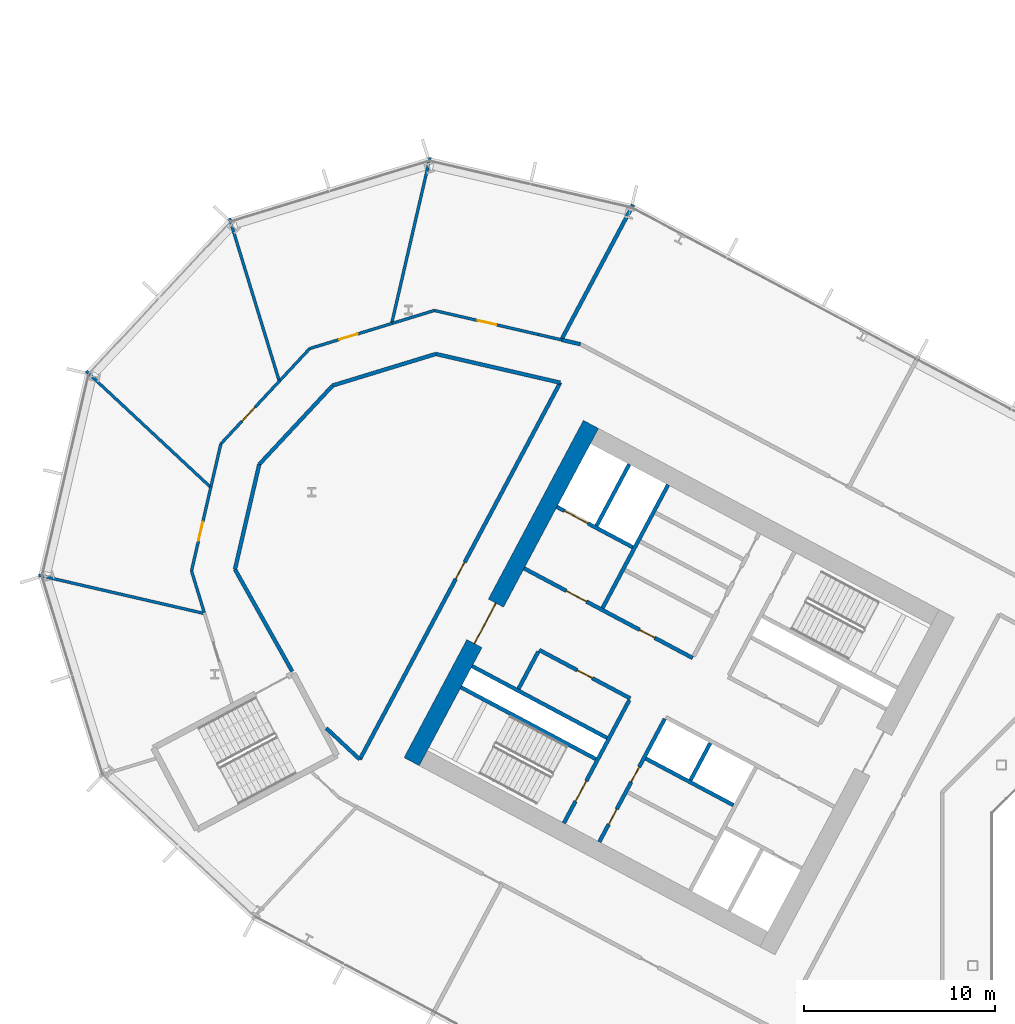
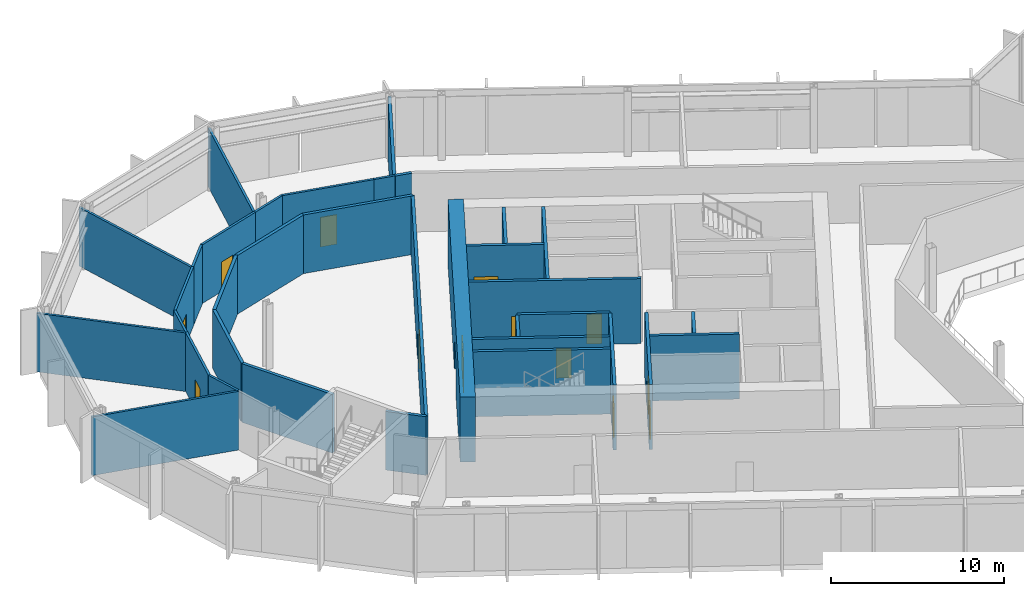
# One storey, part 15 of 31: 35 walls, 13 doors, 13 openings.
"""IFC4 building model written with IfcOpenShell, lengths in metres."""

from ifc_helpers import new_model, si_unit, direction, frame, frame_2d, origin, place, context, subcontext, project, spatial, rectangle, extrude, material, layer, layer_set, type_object, element, fill, save


model = new_model("IFC4")

# Units and contexts
model_context = context("Model", 3, precision=1e-05, world=origin(), true_north=direction((0.0, 1.0)))
body_context = subcontext(model_context, "Body", "Model", "MODEL_VIEW")
ifc_project = project(units=[si_unit("LENGTHUNIT", "METRE"), si_unit("AREAUNIT", "SQUARE_METRE"), si_unit("VOLUMEUNIT", "CUBIC_METRE"), si_unit("PLANEANGLEUNIT", "RADIAN"), si_unit("MASSUNIT", "GRAM", prefix="KILO")], contexts=[model_context])

# Site, building, storey
site_placement = place(None, origin())
site = spatial("IfcSite", under=ifc_project, at=site_placement, CompositionType="ELEMENT")
building_placement = place(site_placement, origin())
building = spatial("IfcBuilding", under=site, at=building_placement, Name="Cormorant Relay Tower", CompositionType="ELEMENT")
storey_placement = place(building_placement, frame((0.0, 0.0, 107.60009765625)))
storey = spatial("IfcBuildingStorey", under=building, at=storey_placement, Name="L21", CompositionType="ELEMENT", Elevation=107.60009765625)

# Wall
ifc_material_1 = material(Name="Concrete 40 MPa", Category="concrete")
ifc_layer_1 = layer(ifc_material_1, 0.199951171875)
ifc_layer_set_1 = layer_set([ifc_layer_1], Name="Core internal wall 200")
wall_type_1 = type_object("IfcWallType", Name="Core internal wall 200", PredefinedType="SOLIDWALL", material=ifc_layer_set_1)
wall_1_placement = place(storey_placement, frame((-25.744140625, 11.64990234375, 0.0), z_axis=(0.0, 0.0, 1.0), x_axis=(-0.469487830541, -0.882938942948, 0.0)))
element("IfcWall", 1, at=wall_1_placement, inside=storey, type_object=wall_type_1, Name="L21 core A shaft and room wall", PredefinedType="SOLIDWALL", context=body_context, shape_type="SweptSolid", body=[
    extrude(rectangle(XDim=2.2001953125, YDim=0.199951171875, at=frame_2d((1.10009765625, 0.0))), origin(), (0.0, 0.0, 1.0), 4.599853515625),
])

# Wall, openings, doors
ifc_material_2 = material(Name="Concrete 50 MPa", Category="concrete")
ifc_layer_2 = layer(ifc_material_2, 0.199951171875)
ifc_layer_set_2 = layer_set([ifc_layer_2], Name="Core shaft wall 200")
wall_type_2 = type_object("IfcWallType", Name="Core shaft wall 200", PredefinedType="SHEAR", material=ifc_layer_set_2)
wall_2_placement = place(storey_placement, frame((-28.128173828125, 12.91748046875, 0.0), z_axis=(0.0, 0.0, 1.0), x_axis=(-0.469454336211, -0.882956752176, 0.0)))
wall_2 = element("IfcWall", 2, at=wall_2_placement, inside=storey, type_object=wall_type_2, Name="L21 core A shaft wall", PredefinedType="SHEAR", context=body_context, shape_type="SweptSolid", body=[
    extrude(rectangle(XDim=7.300048828125, YDim=0.199951171875, at=frame_2d((3.64990234375, 0.0))), origin(), (0.0, 0.0, 1.0), 4.599853515625),
])
opening_1_placement = place(wall_2_placement, frame((2.85009765625, 0.0, 0.0)))
opening_1 = element("IfcOpeningElement", 3, at=opening_1_placement, cuts=wall_2, Name="Opening CDD-129", PredefinedType="OPENING", context=body_context, shape_type="SweptSolid", body=[
    extrude(rectangle(XDim=0.89990234375, YDim=2.10009765625, at=frame_2d((0.449951171875, 1.050048828125))), frame((0.0, 0.10986328125, 0.0), z_axis=(0.0, -1.0, 0.0), x_axis=(1.0, 0.0, 0.0)), (0.0, 0.0, 1.0), 0.219970703125),
])
opening_2_placement = place(wall_2_placement, frame((5.35009765625, 0.0, 0.0)))
opening_2 = element("IfcOpeningElement", 4, at=opening_2_placement, cuts=wall_2, Name="Opening CDD-144", PredefinedType="OPENING", context=body_context, shape_type="SweptSolid", body=[
    extrude(rectangle(XDim=0.89990234375, YDim=2.10009765625, at=frame_2d((0.449951171875, 1.050048828125))), frame((0.0, 0.10986328125, 0.0), z_axis=(0.0, -1.0, 0.0), x_axis=(1.0, 0.0, 0.0)), (0.0, 0.0, 1.0), 0.219970703125),
])
ifc_material_3 = material(Name="Steel fire door", Category="steel")
door_type_1 = type_object("IfcDoorType", Name="Core room door 900x2100", OperationType="SINGLE_SWING_LEFT", PredefinedType="DOOR", material=ifc_material_3)
door_1_placement = place(opening_1_placement, origin())
door_1 = element("IfcDoor", 5, at=door_1_placement, inside=storey, type_object=door_type_1, Name="Core room door 900x2100", OperationType="SINGLE_SWING_LEFT", OverallHeight=2.10009765625, OverallWidth=0.89990234375, PredefinedType="DOOR", context=body_context, shape_type="SweptSolid", body=[
    extrude(rectangle(XDim=0.89990234375, YDim=2.10009765625, at=frame_2d((0.449951171875, 1.050048828125))), frame((0.0, 0.02490234375, 0.0), z_axis=(0.0, -1.0, 0.0), x_axis=(1.0, 0.0, 0.0)), (0.0, 0.0, 1.0), 0.050048828125),
])
fill(opening_1, door_1)
door_2_placement = place(opening_2_placement, origin())
door_2 = element("IfcDoor", 6, at=door_2_placement, inside=storey, type_object=door_type_1, Name="Core room door 900x2100", OperationType="SINGLE_SWING_LEFT", OverallHeight=2.10009765625, OverallWidth=0.89990234375, PredefinedType="DOOR", context=body_context, shape_type="SweptSolid", body=[
    extrude(rectangle(XDim=0.89990234375, YDim=2.10009765625, at=frame_2d((0.449951171875, 1.050048828125))), frame((0.0, 0.02490234375, 0.0), z_axis=(0.0, -1.0, 0.0), x_axis=(1.0, 0.0, 0.0)), (0.0, 0.0, 1.0), 0.050048828125),
])
fill(opening_2, door_2)

# Wall, opening, door
wall_3_placement = place(storey_placement, frame((-29.982421875, 13.9033203125, 0.0), z_axis=(0.0, 0.0, 1.0), x_axis=(-0.469454336211, -0.882956752176, 0.0)))
wall_3 = element("IfcWall", 7, at=wall_3_placement, inside=storey, type_object=wall_type_2, Name="L21 core A shaft wall", PredefinedType="SHEAR", context=body_context, shape_type="SweptSolid", body=[
    extrude(rectangle(XDim=7.300048828125, YDim=0.199951171875, at=frame_2d((3.64990234375, 0.0))), origin(), (0.0, 0.0, 1.0), 4.599853515625),
])
opening_3_placement = place(wall_3_placement, frame((4.800048828125, 0.0, 0.0)))
opening_3 = element("IfcOpeningElement", 8, at=opening_3_placement, cuts=wall_3, Name="Opening CDB-025", PredefinedType="OPENING", context=body_context, shape_type="SweptSolid", body=[
    extrude(rectangle(XDim=1.199951171875, YDim=2.10009765625, at=frame_2d((0.60009765625, 1.050048828125))), frame((0.0, 0.10986328125, 0.0), z_axis=(0.0, -1.0, 0.0), x_axis=(1.0, 0.0, 0.0)), (0.0, 0.0, 1.0), 0.219970703125),
])
ifc_material_4 = material(Name="Steel fire door", Category="steel")
door_type_2 = type_object("IfcDoorType", Name="Core stair door 1200x2100", OperationType="SINGLE_SWING_LEFT", PredefinedType="DOOR", material=ifc_material_4)
door_3_placement = place(opening_3_placement, frame((1.199951171875, 0.0, 0.0), z_axis=(0.0, 0.0, 1.0), x_axis=(-1.0, 0.0, 0.0)))
door_3 = element("IfcDoor", 9, at=door_3_placement, inside=storey, type_object=door_type_2, Name="Core stair door 1200x2100", OperationType="SINGLE_SWING_RIGHT", OverallHeight=2.10009765625, OverallWidth=1.199951171875, PredefinedType="DOOR", context=body_context, shape_type="SweptSolid", body=[
    extrude(rectangle(XDim=1.199951171875, YDim=2.10009765625, at=frame_2d((0.60009765625, 1.050048828125))), frame((0.0, 0.02490234375, 0.0), z_axis=(0.0, -1.0, 0.0), x_axis=(1.0, 0.0, 0.0)), (0.0, 0.0, 1.0), 0.050048828125),
])
fill(opening_3, door_3)

# Walls
wall_4_placement = place(storey_placement, frame((-27.955322265625, 25.170654296875, 0.0), z_axis=(0.0, 0.0, 1.0), x_axis=(-0.469480409012, -0.88294288918, 0.0)))
element("IfcWall", 10, at=wall_4_placement, inside=storey, type_object=wall_type_2, Name="L21 core A shaft wall", PredefinedType="SHEAR", context=body_context, shape_type="SweptSolid", body=[
    extrude(rectangle(XDim=7.300048828125, YDim=0.199951171875, at=frame_2d((3.64990234375, 0.0))), origin(), (0.0, 0.0, 1.0), 4.599853515625),
])
wall_5_placement = place(storey_placement, frame((-34.750244140625, 16.4384765625, 0.0), z_axis=(0.0, 0.0, 1.0), x_axis=(-0.469401318492, -0.882984938828, 0.0)))
element("IfcWall", 11, at=wall_5_placement, inside=storey, type_object=wall_type_2, Name="L21 core A shaft wall", PredefinedType="SHEAR", context=body_context, shape_type="SweptSolid", body=[
    extrude(rectangle(XDim=2.199951171875, YDim=0.199951171875, at=frame_2d((1.10009765625, 0.0))), origin(), (0.0, 0.0, 1.0), 4.599853515625),
])
wall_6_placement = place(storey_placement, frame((-29.986083984375, 26.250244140625, 0.0), z_axis=(0.0, 0.0, 1.0), x_axis=(-0.469494272526, -0.882935517501, 0.0)))
element("IfcWall", 12, at=wall_6_placement, inside=storey, type_object=wall_type_2, Name="L21 core A shaft wall", PredefinedType="SHEAR", context=body_context, shape_type="SweptSolid", body=[
    extrude(rectangle(XDim=3.64990234375, YDim=0.199951171875, at=frame_2d((1.824951171875, 0.0))), origin(), (0.0, 0.0, 1.0), 4.599853515625),
])

# Wall, opening, door
wall_7_placement = place(storey_placement, frame((-29.80419921875, 21.906494140625, 0.0), z_axis=(0.0, 0.0, 1.0), x_axis=(-0.882960433586, 0.469447412093, 0.0)))
wall_7 = element("IfcWall", 13, at=wall_7_placement, inside=storey, type_object=wall_type_2, Name="L21 core A shaft wall", PredefinedType="SHEAR", context=body_context, shape_type="SweptSolid", body=[
    extrude(rectangle(XDim=4.5, YDim=0.199951171875, at=frame_2d((2.25, 0.0))), origin(), (0.0, 0.0, 1.0), 4.599853515625),
])
opening_4_placement = place(wall_7_placement, frame((2.64990234375, 0.0, 0.0)))
opening_4 = element("IfcOpeningElement", 14, at=opening_4_placement, cuts=wall_7, Name="Opening LD3-009", PredefinedType="OPENING", context=body_context, shape_type="SweptSolid", body=[
    extrude(rectangle(XDim=1.39990234375, YDim=2.39990234375, at=frame_2d((0.699951171875, 1.199951171875))), frame((0.0, 0.10986328125, 0.0), z_axis=(0.0, -1.0, 0.0), x_axis=(1.0, 0.0, 0.0)), (0.0, 0.0, 1.0), 0.219970703125),
])
ifc_material_5 = material(Name="Stainless steel 316", Category="steel")
door_type_3 = type_object("IfcDoorType", Name="Lift landing door 1400x2400", OperationType="DOUBLE_DOOR_SLIDING", PredefinedType="DOOR", material=ifc_material_5)
door_4_placement = place(opening_4_placement, origin())
door_4 = element("IfcDoor", 15, at=door_4_placement, inside=storey, type_object=door_type_3, Name="SV1 landing door", OperationType="DOUBLE_DOOR_SLIDING", OverallHeight=2.39990234375, OverallWidth=1.39990234375, PredefinedType="DOOR", context=body_context, shape_type="SweptSolid", body=[
    extrude(rectangle(XDim=1.39990234375, YDim=2.39990234375, at=frame_2d((0.699951171875, 1.199951171875))), frame((0.0, 0.02490234375, 0.0), z_axis=(0.0, -1.0, 0.0), x_axis=(1.0, 0.0, 0.0)), (0.0, 0.0, 1.0), 0.050048828125),
])
fill(opening_4, door_4)

# Wall, openings, doors
wall_8_placement = place(storey_placement, frame((-26.66162109375, 16.1015625, 0.0), z_axis=(0.0, 0.0, 1.0), x_axis=(-0.882940221191, 0.469485426614, 0.0)))
wall_8 = element("IfcWall", 16, at=wall_8_placement, inside=storey, type_object=wall_type_2, Name="L21 core A shaft wall", PredefinedType="SHEAR", context=body_context, shape_type="SweptSolid", body=[
    extrude(rectangle(XDim=10.0, YDim=0.199951171875, at=frame_2d((5.0, 0.0))), origin(), (0.0, 0.0, 1.0), 4.599853515625),
])
opening_5_placement = place(wall_8_placement, frame((6.300048828125, 0.0, 0.0)))
opening_5 = element("IfcOpeningElement", 17, at=opening_5_placement, cuts=wall_8, Name="Opening CDC-018", PredefinedType="OPENING", context=body_context, shape_type="SweptSolid", body=[
    extrude(rectangle(XDim=1.199951171875, YDim=2.10009765625, at=frame_2d((0.60009765625, 1.050048828125))), frame((0.0, 0.10986328125, 0.0), z_axis=(0.0, -1.0, 0.0), x_axis=(1.0, 0.0, 0.0)), (0.0, 0.0, 1.0), 0.219970703125),
])
opening_6_placement = place(wall_8_placement, frame((2.25, 0.0, 0.0)))
opening_6 = element("IfcOpeningElement", 18, at=opening_6_placement, cuts=wall_8, Name="Opening CDD-143", PredefinedType="OPENING", context=body_context, shape_type="SweptSolid", body=[
    extrude(rectangle(XDim=0.89990234375, YDim=2.10009765625, at=frame_2d((0.449951171875, 1.050048828125))), frame((0.0, 0.10986328125, 0.0), z_axis=(0.0, -1.0, 0.0), x_axis=(1.0, 0.0, 0.0)), (0.0, 0.0, 1.0), 0.219970703125),
])
ifc_material_6 = material(Name="Steel fire door", Category="steel")
door_type_4 = type_object("IfcDoorType", Name="Core lobby door 1200x2100", OperationType="SINGLE_SWING_LEFT", PredefinedType="DOOR", material=ifc_material_6)
door_5_placement = place(opening_5_placement, origin())
door_5 = element("IfcDoor", 19, at=door_5_placement, inside=storey, type_object=door_type_4, Name="Core lobby door 1200x2100", OperationType="SINGLE_SWING_LEFT", OverallHeight=2.10009765625, OverallWidth=1.199951171875, PredefinedType="DOOR", context=body_context, shape_type="SweptSolid", body=[
    extrude(rectangle(XDim=1.199951171875, YDim=2.10009765625, at=frame_2d((0.60009765625, 1.050048828125))), frame((0.0, 0.02490234375, 0.0), z_axis=(0.0, -1.0, 0.0), x_axis=(1.0, 0.0, 0.0)), (0.0, 0.0, 1.0), 0.050048828125),
])
fill(opening_5, door_5)
door_6_placement = place(opening_6_placement, frame((0.89990234375, 0.0, 0.0), z_axis=(0.0, 0.0, 1.0), x_axis=(-1.0, 0.0, 0.0)))
door_6 = element("IfcDoor", 20, at=door_6_placement, inside=storey, type_object=door_type_1, Name="Core room door 900x2100", OperationType="SINGLE_SWING_RIGHT", OverallHeight=2.10009765625, OverallWidth=0.89990234375, PredefinedType="DOOR", context=body_context, shape_type="SweptSolid", body=[
    extrude(rectangle(XDim=0.89990234375, YDim=2.10009765625, at=frame_2d((0.449951171875, 1.050048828125))), frame((0.0, 0.02490234375, 0.0), z_axis=(0.0, -1.0, 0.0), x_axis=(1.0, 0.0, 0.0)), (0.0, 0.0, 1.0), 0.050048828125),
])
fill(opening_6, door_6)

# Wall, opening, door
wall_9_placement = place(storey_placement, frame((-29.935302734375, 13.991455078125, 0.0), z_axis=(0.0, 0.0, 1.0), x_axis=(-0.882952937579, 0.469461510692, 0.0)))
wall_9 = element("IfcWall", 21, at=wall_9_placement, inside=storey, type_object=wall_type_2, Name="L21 core A shaft wall", PredefinedType="SHEAR", context=body_context, shape_type="SweptSolid", body=[
    extrude(rectangle(XDim=5.400146484375, YDim=0.199951171875, at=frame_2d((2.7001953125, 0.0))), origin(), (0.0, 0.0, 1.0), 4.599853515625),
])
opening_7_placement = place(wall_9_placement, frame((2.25, 0.0, 0.0)))
opening_7 = element("IfcOpeningElement", 22, at=opening_7_placement, cuts=wall_9, Name="Opening CDD-126", PredefinedType="OPENING", context=body_context, shape_type="SweptSolid", body=[
    extrude(rectangle(XDim=0.89990234375, YDim=2.10009765625, at=frame_2d((0.449951171875, 1.050048828125))), frame((0.0, 0.10986328125, 0.0), z_axis=(0.0, -1.0, 0.0), x_axis=(1.0, 0.0, 0.0)), (0.0, 0.0, 1.0), 0.219970703125),
])
door_7_placement = place(opening_7_placement, origin())
door_7 = element("IfcDoor", 23, at=door_7_placement, inside=storey, type_object=door_type_1, Name="Core room door 900x2100", OperationType="SINGLE_SWING_LEFT", OverallHeight=2.10009765625, OverallWidth=0.89990234375, PredefinedType="DOOR", context=body_context, shape_type="SweptSolid", body=[
    extrude(rectangle(XDim=0.89990234375, YDim=2.10009765625, at=frame_2d((0.449951171875, 1.050048828125))), frame((0.0, 0.02490234375, 0.0), z_axis=(0.0, -1.0, 0.0), x_axis=(1.0, 0.0, 0.0)), (0.0, 0.0, 1.0), 0.050048828125),
])
fill(opening_7, door_7)

# Walls
wall_10_placement = place(storey_placement, frame((-24.5283203125, 8.3984375, 0.0), z_axis=(0.0, 0.0, 1.0), x_axis=(-0.882953967957, 0.469459572775, 0.0)))
element("IfcWall", 24, at=wall_10_placement, inside=storey, type_object=wall_type_2, Name="L21 core A shaft wall", PredefinedType="SHEAR", context=body_context, shape_type="SweptSolid", body=[
    extrude(rectangle(XDim=5.199951171875, YDim=0.199951171875, at=frame_2d((2.60009765625, 0.0))), origin(), (0.0, 0.0, 1.0), 4.599853515625),
])
for number, where, z_axis, x_axis, name in (
    (25, (-31.150390625, 11.91943359375, 0.0), (0.0, 0.0, 1.0), (-0.882940221191, 0.469485426614, 0.0), "L21 core A shaft wall"),
    (26, (-31.7373046875, 10.815673828125, 0.0), (0.0, 0.0, 1.0), (-0.882940221191, 0.469485426614, 0.0), "L21 core A shaft wall"),
):
    element("IfcWall", number, at=place(storey_placement, frame(where, z_axis=z_axis, x_axis=x_axis)), inside=storey, type_object=wall_type_2, Name=name, PredefinedType="SHEAR", context=body_context, shape_type="SweptSolid", body=[
        extrude(rectangle(XDim=8.0, YDim=0.199951171875, at=frame_2d((4.0, 0.0))), origin(), (0.0, 0.0, 1.0), 4.599853515625),
    ])

# Wall, opening, door
ifc_material_7 = material(Name="Concrete 70 MPa", Category="concrete")
ifc_layer_3 = layer(ifc_material_7, 0.89990234375)
ifc_layer_set_3 = layer_set([ifc_layer_3], Name="Core wall 900")
wall_type_3 = type_object("IfcWallType", Name="Core wall 900", PredefinedType="SHEAR", material=ifc_layer_set_3)
wall_11_placement = place(storey_placement, frame((-31.99169921875, 28.3359375, 0.0), z_axis=(0.0, 0.0, 1.0), x_axis=(-0.46947084998, -0.882947971864, 0.0)))
wall_11 = element("IfcWall", 27, at=wall_11_placement, inside=storey, type_object=wall_type_3, Name="L21 core A wall", PredefinedType="SHEAR", context=body_context, shape_type="SweptSolid", body=[
    extrude(rectangle(XDim=20.0, YDim=0.89990234375, at=frame_2d((10.0, 0.0))), origin(), (0.0, 0.0, 1.0), 4.599853515625),
])
opening_8_placement = place(wall_11_placement, frame((10.60009765625, 0.0, 0.0)))
opening_8 = element("IfcOpeningElement", 28, at=opening_8_placement, cuts=wall_11, Name="Opening CDA-018", PredefinedType="OPENING", context=body_context, shape_type="SweptSolid", body=[
    extrude(rectangle(XDim=2.39990234375, YDim=2.39990234375, at=frame_2d((1.199951171875, 1.199951171875))), frame((0.0, 0.4599609375, 0.0), z_axis=(0.0, -1.0, 0.0), x_axis=(1.0, 0.0, 0.0)), (0.0, 0.0, 1.0), 0.919921875),
])
ifc_material_8 = material(Name="Steel fire door", Category="steel")
door_type_5 = type_object("IfcDoorType", Name="Core lobby door 2400x2400", OperationType="DOUBLE_DOOR_SINGLE_SWING", PredefinedType="DOOR", material=ifc_material_8)
door_8_placement = place(opening_8_placement, origin())
door_8 = element("IfcDoor", 29, at=door_8_placement, inside=storey, type_object=door_type_5, Name="Core lobby door 2400x2400", OperationType="DOUBLE_DOOR_SINGLE_SWING", OverallHeight=2.39990234375, OverallWidth=2.39990234375, PredefinedType="DOOR", context=body_context, shape_type="SweptSolid", body=[
    extrude(rectangle(XDim=2.39990234375, YDim=2.39990234375, at=frame_2d((1.199951171875, 1.199951171875))), frame((0.0, 0.02490234375, 0.0), z_axis=(0.0, -1.0, 0.0), x_axis=(1.0, 0.0, 0.0)), (0.0, 0.0, 1.0), 0.050048828125),
])
fill(opening_8, door_8)

# Walls
ifc_material_9 = material(Name="Fire-rated gypsum board partition")
ifc_layer_4 = layer(ifc_material_9, 0.199951171875)
ifc_layer_set_4 = layer_set([ifc_layer_4], Name="Fire-rated gypsum partition 200")
wall_type_4 = type_object("IfcWallType", Name="Fire-rated gypsum partition 200", PredefinedType="PARTITIONING", material=ifc_layer_set_4)
wall_12_placement = place(storey_placement, frame((-47.634521484375, 15.405517578125, 0.0), z_axis=(0.0, 0.0, 1.0), x_axis=(-0.48945286171, 0.872029756467, 0.0)))
element("IfcWall", 30, at=wall_12_placement, inside=storey, type_object=wall_type_4, Name="wall/L21/part/14", PredefinedType="PARTITIONING", context=body_context, shape_type="SweptSolid", body=[
    extrude(rectangle(XDim=6.124267578125, YDim=0.199951171875, at=frame_2d((3.06201171875, 0.0))), origin(), (0.0, 0.0, 1.0), 4.14990234375),
])
wall_13_placement = place(storey_placement, frame((-50.632080078125, 20.74609375, 0.0), z_axis=(0.0, 0.0, 1.0), x_axis=(0.22499217369, 0.974360570722, 0.0)))
element("IfcWall", 31, at=wall_13_placement, inside=storey, type_object=wall_type_4, Name="wall/L21/part/15", PredefinedType="PARTITIONING", context=body_context, shape_type="SweptSolid", body=[
    extrude(rectangle(XDim=5.644775390625, YDim=0.199951171875, at=frame_2d((2.822265625, 0.0))), origin(), (0.0, 0.0, 1.0), 4.14990234375),
])
wall_14_placement = place(storey_placement, frame((-49.362060546875, 26.24609375, 0.0), z_axis=(0.0, 0.0, 1.0), x_axis=(0.681982280618, 0.731368695613, 0.0)))
element("IfcWall", 32, at=wall_14_placement, inside=storey, type_object=wall_type_4, Name="wall/L21/part/16", PredefinedType="PARTITIONING", context=body_context, shape_type="SweptSolid", body=[
    extrude(rectangle(XDim=5.6455078125, YDim=0.199951171875, at=frame_2d((2.82275390625, 0.0))), origin(), (0.0, 0.0, 1.0), 4.14990234375),
])
wall_15_placement = place(storey_placement, frame((-45.511962890625, 30.375, 0.0), z_axis=(0.0, 0.0, 1.0), x_axis=(0.956291797198, 0.292414087576, 0.0)))
element("IfcWall", 33, at=wall_15_placement, inside=storey, type_object=wall_type_4, Name="wall/L21/part/17", PredefinedType="PARTITIONING", context=body_context, shape_type="SweptSolid", body=[
    extrude(rectangle(XDim=5.645751953125, YDim=0.199951171875, at=frame_2d((2.82275390625, 0.0))), origin(), (0.0, 0.0, 1.0), 4.14990234375),
])
wall_16_placement = place(storey_placement, frame((-40.113037109375, 32.02587890625, 0.0), z_axis=(0.0, 0.0, 1.0), x_axis=(0.974363470519, -0.224979615338, 0.0)))
element("IfcWall", 34, at=wall_16_placement, inside=storey, type_object=wall_type_4, Name="wall/L21/part/18", PredefinedType="PARTITIONING", context=body_context, shape_type="SweptSolid", body=[
    extrude(rectangle(XDim=6.68017578125, YDim=0.199951171875, at=frame_2d((3.340087890625, 0.0))), origin(), (0.0, 0.0, 1.0), 4.14990234375),
])

# Wall, opening, door
wall_17_placement = place(storey_placement, frame((-33.60400390625, 30.52294921875, 0.0), z_axis=(0.0, 0.0, 1.0), x_axis=(-0.469481615166, -0.88294224784, 0.0)))
wall_17 = element("IfcWall", 35, at=wall_17_placement, inside=storey, type_object=wall_type_4, Name="wall/L21/part/19", PredefinedType="PARTITIONING", context=body_context, shape_type="SweptSolid", body=[
    extrude(rectangle(XDim=22.347900390625, YDim=0.199951171875, at=frame_2d((11.173828125, 0.0))), origin(), (0.0, 0.0, 1.0), 4.14990234375),
])
opening_9_placement = place(wall_17_placement, frame((10.64990234375, 0.0, 0.0)))
opening_9 = element("IfcOpeningElement", 36, at=opening_9_placement, cuts=wall_17, Name="Opening FD1-115", PredefinedType="OPENING", context=body_context, shape_type="SweptSolid", body=[
    extrude(rectangle(XDim=1.0, YDim=2.10009765625, at=frame_2d((0.5, 1.050048828125))), frame((0.0, 0.10986328125, 0.0), z_axis=(0.0, -1.0, 0.0), x_axis=(1.0, 0.0, 0.0)), (0.0, 0.0, 1.0), 0.219970703125),
])
ifc_material_10 = material(Name="Fire-rated steel door", Category="steel")
door_type_6 = type_object("IfcDoorType", Name="Fire door 1000 x 2100", OperationType="SINGLE_SWING_LEFT", PredefinedType="DOOR", material=ifc_material_10)
door_9_placement = place(opening_9_placement, frame((1.0, 0.0, 0.0), z_axis=(0.0, 0.0, 1.0), x_axis=(-1.0, 0.0, 0.0)))
door_9 = element("IfcDoor", 37, at=door_9_placement, inside=storey, type_object=door_type_6, Name="door/L21/1", OperationType="SINGLE_SWING_RIGHT", OverallHeight=2.10009765625, OverallWidth=1.0, PredefinedType="DOOR", context=body_context, shape_type="SweptSolid", body=[
    extrude(rectangle(XDim=1.0, YDim=2.10009765625, at=frame_2d((0.5, 1.050048828125))), frame((0.0, 0.02490234375, 0.0), z_axis=(0.0, -1.0, 0.0), x_axis=(1.0, 0.0, 0.0)), (0.0, 0.0, 1.0), 0.050048828125),
])
fill(opening_9, door_9)

# Walls
wall_18_placement = place(storey_placement, frame((-44.095947265625, 10.791015625, 0.0), z_axis=(0.0, 0.0, 1.0), x_axis=(-0.73104174178, 0.68233274271, 0.0)))
element("IfcWall", 38, at=wall_18_placement, inside=storey, type_object=wall_type_4, Name="wall/L21/part/20", PredefinedType="PARTITIONING", context=body_context, shape_type="SweptSolid", body=[
    extrude(rectangle(XDim=2.40087890625, YDim=0.199951171875, at=frame_2d((1.200439453125, 0.0))), origin(), (0.0, 0.0, 1.0), 4.14990234375),
])
wall_19_placement = place(storey_placement, frame((-29.779052734375, 39.845947265625, 0.0), z_axis=(0.0, 0.0, 1.0), x_axis=(-0.469473581375, -0.882946519553, 0.0)))
element("IfcWall", 39, at=wall_19_placement, inside=storey, type_object=wall_type_4, Name="wall/L21/part/30", PredefinedType="PARTITIONING", context=body_context, shape_type="SweptSolid", body=[
    extrude(rectangle(XDim=8.017333984375, YDim=0.199951171875, at=frame_2d((4.0087890625, 0.0))), origin(), (0.0, 0.0, 1.0), 4.14990234375),
])
wall_20_placement = place(storey_placement, frame((-32.541015625, 32.534912109375, 0.0), z_axis=(0.0, 0.0, 1.0), x_axis=(-0.9743788064, 0.224913186893, 0.0)))
element("IfcWall", 40, at=wall_20_placement, inside=storey, type_object=wall_type_4, Name="wall/L21/part/31", PredefinedType="PARTITIONING", context=body_context, shape_type="SweptSolid", body=[
    extrude(rectangle(XDim=0.99658203125, YDim=0.199951171875, at=frame_2d((0.498291015625, 0.0))), origin(), (0.0, 0.0, 1.0), 4.14990234375),
])
ifc_material_11 = material(Name="Gypsum board partition")
ifc_layer_5 = layer(ifc_material_11, 0.14990234375)
ifc_layer_set_5 = layer_set([ifc_layer_5], Name="Gypsum board partition 150")
wall_type_5 = type_object("IfcWallType", Name="Gypsum board partition 150", PredefinedType="PARTITIONING", material=ifc_layer_set_5)
wall_21_placement = place(storey_placement, frame((-52.22509765625, 18.431884765625, 0.0), z_axis=(0.0, 0.0, 1.0), x_axis=(-0.974365373768, 0.224971372407, 0.0)))
element("IfcWall", 41, at=wall_21_placement, inside=storey, type_object=wall_type_5, Name="wall/L21/part/1", PredefinedType="PARTITIONING", context=body_context, shape_type="SweptSolid", body=[
    extrude(rectangle(XDim=8.92578125, YDim=0.14990234375, at=frame_2d((4.462890625, 0.0))), origin(), (0.0, 0.0, 1.0), 4.14990234375),
])
wall_22_placement = place(storey_placement, frame((-58.427001953125, 31.125, 0.0), z_axis=(0.0, 0.0, 1.0), x_axis=(0.731442667258, -0.681902943618, 0.0)))
element("IfcWall", 42, at=wall_22_placement, inside=storey, type_object=wall_type_5, Name="wall/L21/part/2", PredefinedType="PARTITIONING", context=body_context, shape_type="SweptSolid", body=[
    extrude(rectangle(XDim=8.925048828125, YDim=0.14990234375, at=frame_2d((4.46240234375, 0.0))), origin(), (0.0, 0.0, 1.0), 4.14990234375),
])

# Wall, opening, door
wall_23_placement = place(storey_placement, frame((-51.886962890625, 25.092041015625, 0.0), z_axis=(0.0, 0.0, 1.0), x_axis=(-0.224777071087, -0.974410215625, 0.0)))
wall_23 = element("IfcWall", 43, at=wall_23_placement, inside=storey, type_object=wall_type_5, Name="wall/L21/part/4", PredefinedType="PARTITIONING", context=body_context, shape_type="SweptSolid", body=[
    extrude(rectangle(XDim=4.542236328125, YDim=0.14990234375, at=frame_2d((2.27099609375, 0.0))), origin(), (0.0, 0.0, 1.0), 4.14990234375),
])
opening_10_placement = place(wall_23_placement, frame((1.919921875, 0.0, 0.0)))
opening_10 = element("IfcOpeningElement", 44, at=opening_10_placement, cuts=wall_23, Name="Opening D1-051", PredefinedType="OPENING", context=body_context, shape_type="SweptSolid", body=[
    extrude(rectangle(XDim=1.0, YDim=2.10009765625, at=frame_2d((0.5, 1.050048828125))), frame((0.0, 0.0849609375, 0.0), z_axis=(0.0, -1.0, 0.0), x_axis=(1.0, 0.0, 0.0)), (0.0, 0.0, 1.0), 0.169921875),
])
ifc_material_12 = material(Name="Painted steel door", Category="steel")
door_type_7 = type_object("IfcDoorType", Name="Single door 1000 x 2100", OperationType="SINGLE_SWING_LEFT", PredefinedType="DOOR", material=ifc_material_12)
door_10_placement = place(opening_10_placement, frame((1.0, 0.0, 0.0), z_axis=(0.0, 0.0, 1.0), x_axis=(-1.0, 0.0, 0.0)))
door_10 = element("IfcDoor", 45, at=door_10_placement, inside=storey, type_object=door_type_7, Name="door/L21/17", OperationType="SINGLE_SWING_RIGHT", OverallHeight=2.10009765625, OverallWidth=1.0, PredefinedType="DOOR", context=body_context, shape_type="SweptSolid", body=[
    extrude(rectangle(XDim=1.0, YDim=2.10009765625, at=frame_2d((0.5, 1.050048828125))), frame((0.0, 0.02490234375, 0.0), z_axis=(0.0, -1.0, 0.0), x_axis=(1.0, 0.0, 0.0)), (0.0, 0.0, 1.0), 0.050048828125),
])
fill(opening_10, door_10)

# Wall
wall_24_placement = place(storey_placement, frame((-52.907958984375, 20.666015625, 0.0), z_axis=(0.0, 0.0, 1.0), x_axis=(0.292191363623, -0.956359873177, 0.0)))
element("IfcWall", 46, at=wall_24_placement, inside=storey, type_object=wall_type_5, Name="wall/L21/part/5", PredefinedType="PARTITIONING", context=body_context, shape_type="SweptSolid", body=[
    extrude(rectangle(XDim=2.28271484375, YDim=0.14990234375, at=frame_2d((1.141357421875, 0.0))), origin(), (0.0, 0.0, 1.0), 4.14990234375),
])

# Wall, opening, door
wall_25_placement = place(storey_placement, frame((-48.27587890625, 30.636962890625, 0.0), z_axis=(0.0, 0.0, 1.0), x_axis=(-0.682027037636, -0.731326958298, 0.0)))
wall_25 = element("IfcWall", 47, at=wall_25_placement, inside=storey, type_object=wall_type_5, Name="wall/L21/part/7", PredefinedType="PARTITIONING", context=body_context, shape_type="SweptSolid", body=[
    extrude(rectangle(XDim=4.541015625, YDim=0.14990234375, at=frame_2d((2.2705078125, 0.0))), origin(), (0.0, 0.0, 1.0), 4.14990234375),
])
opening_11_placement = place(wall_25_placement, frame((1.9189453125, 0.0, 0.0)))
opening_11 = element("IfcOpeningElement", 48, at=opening_11_placement, cuts=wall_25, Name="Opening D1-050", PredefinedType="OPENING", context=body_context, shape_type="SweptSolid", body=[
    extrude(rectangle(XDim=1.0, YDim=2.10009765625, at=frame_2d((0.5, 1.050048828125))), frame((0.0, 0.0849609375, 0.0), z_axis=(0.0, -1.0, 0.0), x_axis=(1.0, 0.0, 0.0)), (0.0, 0.0, 1.0), 0.169921875),
])
door_11_placement = place(opening_11_placement, frame((1.0, 0.0, 0.0), z_axis=(0.0, 0.0, 1.0), x_axis=(-1.0, 0.0, 0.0)))
door_11 = element("IfcDoor", 49, at=door_11_placement, inside=storey, type_object=door_type_7, Name="door/L21/16", OperationType="SINGLE_SWING_RIGHT", OverallHeight=2.10009765625, OverallWidth=1.0, PredefinedType="DOOR", context=body_context, shape_type="SweptSolid", body=[
    extrude(rectangle(XDim=1.0, YDim=2.10009765625, at=frame_2d((0.5, 1.050048828125))), frame((0.0, 0.02490234375, 0.0), z_axis=(0.0, -1.0, 0.0), x_axis=(1.0, 0.0, 0.0)), (0.0, 0.0, 1.0), 0.050048828125),
])
fill(opening_11, door_11)

# Walls
wall_26_placement = place(storey_placement, frame((-51.373046875, 27.31591796875, 0.0), z_axis=(0.0, 0.0, 1.0), x_axis=(-0.225156347623, -0.974322646316, 0.0)))
element("IfcWall", 50, at=wall_26_placement, inside=storey, type_object=wall_type_5, Name="wall/L21/part/8", PredefinedType="PARTITIONING", context=body_context, shape_type="SweptSolid", body=[
    extrude(rectangle(XDim=2.282470703125, YDim=0.14990234375, at=frame_2d((1.14111328125, 0.0))), origin(), (0.0, 0.0, 1.0), 4.14990234375),
])
wall_27_placement = place(storey_placement, frame((-50.922119140625, 39.133056640625, 0.0), z_axis=(0.0, 0.0, 1.0), x_axis=(0.292438129445, -0.956284445365, 0.0)))
element("IfcWall", 51, at=wall_27_placement, inside=storey, type_object=wall_type_5, Name="wall/L21/part/9", PredefinedType="PARTITIONING", context=body_context, shape_type="SweptSolid", body=[
    extrude(rectangle(XDim=8.92529296875, YDim=0.14990234375, at=frame_2d((4.462646484375, 0.0))), origin(), (0.0, 0.0, 1.0), 4.14990234375),
])

# Wall, opening, door
wall_28_placement = place(storey_placement, frame((-42.39697265625, 33.6279296875, 0.0), z_axis=(0.0, 0.0, 1.0), x_axis=(-0.956325147795, -0.292304997725, 0.0)))
wall_28 = element("IfcWall", 52, at=wall_28_placement, inside=storey, type_object=wall_type_5, Name="wall/L21/part/12", PredefinedType="PARTITIONING", context=body_context, shape_type="SweptSolid", body=[
    extrude(rectangle(XDim=4.519287109375, YDim=0.14990234375, at=frame_2d((2.259765625, 0.0))), origin(), (0.0, 0.0, 1.0), 4.14990234375),
])
opening_12_placement = place(wall_28_placement, frame((1.89697265625, 0.0, 0.0)))
opening_12 = element("IfcOpeningElement", 53, at=opening_12_placement, cuts=wall_28, Name="Opening D1-049", PredefinedType="OPENING", context=body_context, shape_type="SweptSolid", body=[
    extrude(rectangle(XDim=1.0, YDim=2.10009765625, at=frame_2d((0.5, 1.050048828125))), frame((0.0, 0.0849609375, 0.0), z_axis=(0.0, -1.0, 0.0), x_axis=(1.0, 0.0, 0.0)), (0.0, 0.0, 1.0), 0.169921875),
])
door_12_placement = place(opening_12_placement, frame((1.0, 0.0, 0.0), z_axis=(0.0, 0.0, 1.0), x_axis=(-1.0, 0.0, 0.0)))
door_12 = element("IfcDoor", 54, at=door_12_placement, inside=storey, type_object=door_type_7, Name="door/L21/15", OperationType="SINGLE_SWING_RIGHT", OverallHeight=2.10009765625, OverallWidth=1.0, PredefinedType="DOOR", context=body_context, shape_type="SweptSolid", body=[
    extrude(rectangle(XDim=1.0, YDim=2.10009765625, at=frame_2d((0.5, 1.050048828125))), frame((0.0, 0.02490234375, 0.0), z_axis=(0.0, -1.0, 0.0), x_axis=(1.0, 0.0, 0.0)), (0.0, 0.0, 1.0), 0.050048828125),
])
fill(opening_12, door_12)

# Walls
wall_29_placement = place(storey_placement, frame((-46.718994140625, 32.306884765625, 0.0), z_axis=(0.0, 0.0, 1.0), x_axis=(-0.681918098211, -0.731428538774, 0.0)))
element("IfcWall", 55, at=wall_29_placement, inside=storey, type_object=wall_type_5, Name="wall/L21/part/13", PredefinedType="PARTITIONING", context=body_context, shape_type="SweptSolid", body=[
    extrude(rectangle(XDim=2.283203125, YDim=0.14990234375, at=frame_2d((1.1416015625, 0.0))), origin(), (0.0, 0.0, 1.0), 4.14990234375),
])
wall_30_placement = place(storey_placement, frame((-40.4189453125, 42.31494140625, 0.0), z_axis=(0.0, 0.0, 1.0), x_axis=(-0.224995357726, -0.974359835483, 0.0)))
element("IfcWall", 56, at=wall_30_placement, inside=storey, type_object=wall_type_5, Name="wall/L21/part/25", PredefinedType="PARTITIONING", context=body_context, shape_type="SweptSolid", body=[
    extrude(rectangle(XDim=8.9248046875, YDim=0.14990234375, at=frame_2d((4.46240234375, 0.0))), origin(), (0.0, 0.0, 1.0), 4.14990234375),
])

# Wall, opening, door
wall_31_placement = place(storey_placement, frame((-34.756103515625, 33.047119140625, 0.0), z_axis=(0.0, 0.0, 1.0), x_axis=(-0.974383821035, 0.224891461164, 0.0)))
wall_31 = element("IfcWall", 57, at=wall_31_placement, inside=storey, type_object=wall_type_5, Name="wall/L21/part/26", PredefinedType="PARTITIONING", context=body_context, shape_type="SweptSolid", body=[
    extrude(rectangle(XDim=5.579833984375, YDim=0.14990234375, at=frame_2d((2.7900390625, 0.0))), origin(), (0.0, 0.0, 1.0), 4.14990234375),
])
opening_13_placement = place(wall_31_placement, frame((2.2509765625, 0.0, 0.0)))
opening_13 = element("IfcOpeningElement", 58, at=opening_13_placement, cuts=wall_31, Name="Opening D1-048", PredefinedType="OPENING", context=body_context, shape_type="SweptSolid", body=[
    extrude(rectangle(XDim=1.0, YDim=2.10009765625, at=frame_2d((0.5, 1.050048828125))), frame((0.0, 0.0849609375, 0.0), z_axis=(0.0, -1.0, 0.0), x_axis=(1.0, 0.0, 0.0)), (0.0, 0.0, 1.0), 0.169921875),
])
door_13_placement = place(opening_13_placement, frame((1.0, 0.0, 0.0), z_axis=(0.0, 0.0, 1.0), x_axis=(-1.0, 0.0, 0.0)))
door_13 = element("IfcDoor", 59, at=door_13_placement, inside=storey, type_object=door_type_7, Name="door/L21/14", OperationType="SINGLE_SWING_RIGHT", OverallHeight=2.10009765625, OverallWidth=1.0, PredefinedType="DOOR", context=body_context, shape_type="SweptSolid", body=[
    extrude(rectangle(XDim=1.0, YDim=2.10009765625, at=frame_2d((0.5, 1.050048828125))), frame((0.0, 0.02490234375, 0.0), z_axis=(0.0, -1.0, 0.0), x_axis=(1.0, 0.0, 0.0)), (0.0, 0.0, 1.0), 0.050048828125),
])
fill(opening_13, door_13)

# Walls
wall_32_placement = place(storey_placement, frame((-40.193115234375, 34.302001953125, 0.0), z_axis=(0.0, 0.0, 1.0), x_axis=(-0.95627012067, -0.292484967671, 0.0)))
element("IfcWall", 60, at=wall_32_placement, inside=storey, type_object=wall_type_5, Name="wall/L21/part/27", PredefinedType="PARTITIONING", context=body_context, shape_type="SweptSolid", body=[
    extrude(rectangle(XDim=2.3046875, YDim=0.14990234375, at=frame_2d((1.15234375, 0.0))), origin(), (0.0, 0.0, 1.0), 4.14990234375),
])
wall_33_placement = place(storey_placement, frame((-34.756103515625, 33.047119140625, 0.0), z_axis=(0.0, 0.0, 1.0), x_axis=(0.974223379337, -0.225585476377, 0.0)))
element("IfcWall", 61, at=wall_33_placement, inside=storey, type_object=wall_type_5, Name="wall/L21/part/29", PredefinedType="PARTITIONING", context=body_context, shape_type="SweptSolid", body=[
    extrude(rectangle(XDim=1.277099609375, YDim=0.14990234375, at=frame_2d((0.638671875, 0.0))), origin(), (0.0, 0.0, 1.0), 4.14990234375),
])

save(model, "model.ifc")
